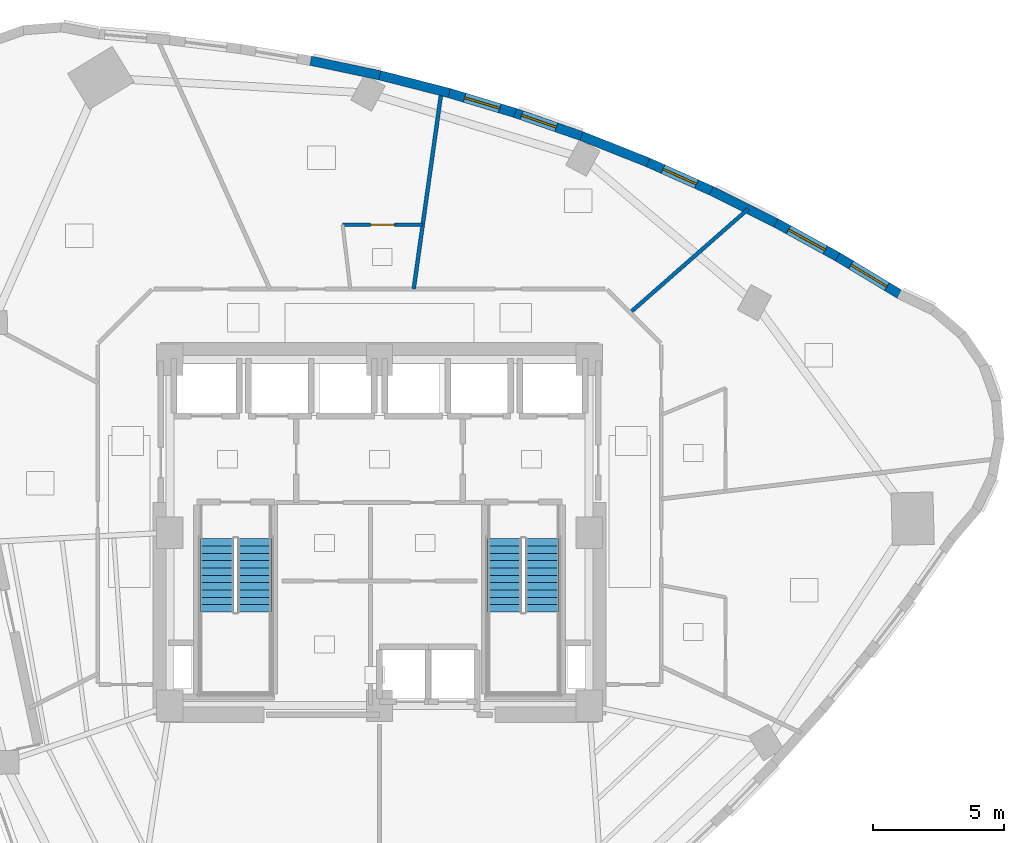
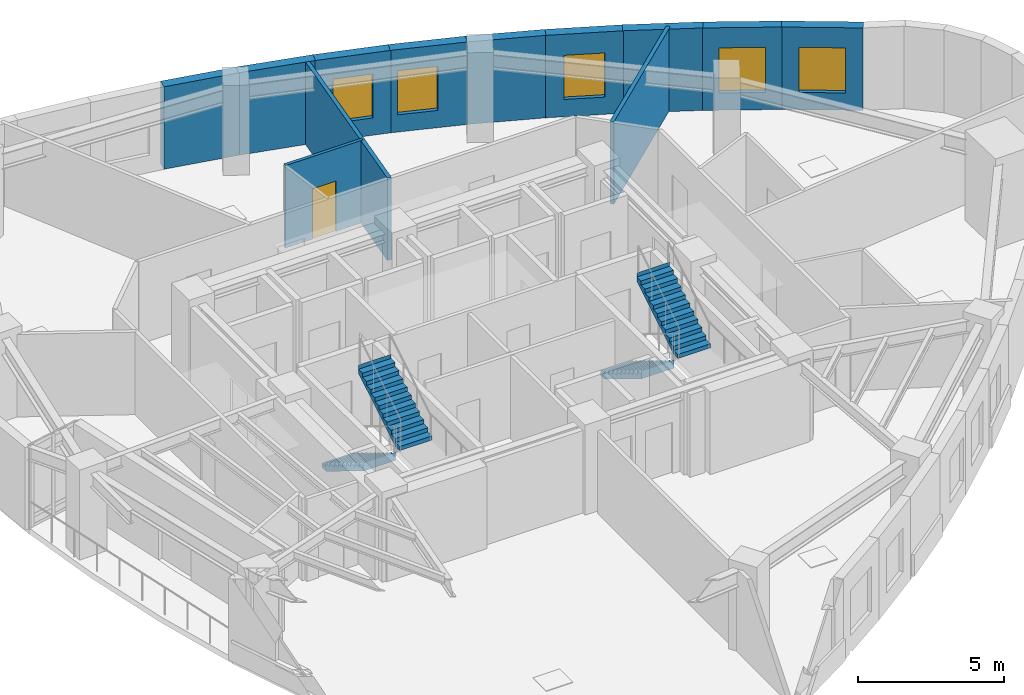
# One storey, part 9 of 12: 12 walls, 5 windows, 4 stair flights, 1 door, 6 openings, 2 elements without a shape of their own.
"""IFC4 building model written with IfcOpenShell, lengths in metres."""

from ifc_helpers import new_model, si_unit, direction, frame, frame_2d, origin, place, context, subcontext, project, spatial, polyline, rectangle, outline, extrude, material, layer, layer_set, type_object, element, fill, aggregate, save


model = new_model("IFC4")

# Units and contexts
model_context = context("Model", 3, precision=1e-05, world=origin(), true_north=direction((0.0, 1.0)))
body_context = subcontext(model_context, "Body", "Model", "MODEL_VIEW")
ifc_project = project(units=[si_unit("LENGTHUNIT", "METRE"), si_unit("AREAUNIT", "SQUARE_METRE"), si_unit("VOLUMEUNIT", "CUBIC_METRE"), si_unit("PLANEANGLEUNIT", "RADIAN"), si_unit("MASSUNIT", "GRAM", prefix="KILO")], contexts=[model_context])

# Site, building, storey
site_placement = place(None, origin())
site = spatial("IfcSite", under=ifc_project, at=site_placement, CompositionType="ELEMENT")
building_placement = place(site_placement, origin())
building = spatial("IfcBuilding", under=site, at=building_placement, Name="Ndelora Gate Hotel", CompositionType="ELEMENT")
storey_placement = place(building_placement, frame((0.0, 0.0, 164.75)))
storey = spatial("IfcBuildingStorey", under=building, at=storey_placement, Name="L41", CompositionType="ELEMENT", Elevation=164.75)

# Wall, opening, window
ifc_material_1 = material(Name="Clay Brick Masonry", Category="masonry")
ifc_layer_1 = layer(ifc_material_1, 0.360107421875)
ifc_layer_set_1 = layer_set([ifc_layer_1], Name="Clay Brick Masonry")
wall_type_1 = type_object("IfcWallType", Name="WL-BRICK-360", PredefinedType="SOLIDWALL", material=ifc_layer_set_1)
wall_1_placement = place(storey_placement, frame((17.478759765625, 10.526123046875, 0.0), z_axis=(0.0, 0.0, 1.0), x_axis=(0.855749933122, -0.517389651967, 0.0)))
wall_1 = element("IfcWall", 1, at=wall_1_placement, inside=storey, type_object=wall_type_1, Name="L41 Tower Brick Pier-and-Spandrel Wall TWR-47", PredefinedType="SOLIDWALL", context=body_context, shape_type="SweptSolid", body=[
    extrude(rectangle(XDim=2.801025390625, YDim=0.360107421875, at=frame_2d((1.400390625, 0.0))), origin(), (0.0, 0.0, 1.0), 3.43994140625),
])
opening_1_placement = place(wall_1_placement, frame((0.6005859375, 0.0, 0.719970703125)))
opening_1 = element("IfcOpeningElement", 2, at=opening_1_placement, cuts=wall_1, Name="Opening W01", PredefinedType="OPENING", context=body_context, shape_type="SweptSolid", body=[
    extrude(rectangle(XDim=1.60009765625, YDim=1.8798828125, at=frame_2d((0.800048828125, 0.93994140625))), frame((0.0, 0.18994140625, 0.0), z_axis=(0.0, -1.0, 0.0), x_axis=(1.0, 0.0, 0.0)), (0.0, 0.0, 1.0), 0.380126953125),
])
ifc_material_2 = material(Name="Insulated Low-E Double Glazing in Bronze Aluminium Frame", Category="aluminium")
window_type_1 = type_object("IfcWindowType", Name="WN-DEEP-1600", PartitioningType="SINGLE_PANEL", PredefinedType="WINDOW", material=ifc_material_2)
window_1_placement = place(opening_1_placement, origin())
window_1 = element("IfcWindow", 3, at=window_1_placement, inside=storey, type_object=window_type_1, Name="L41 Deep-Set Brick-Pier Window W01", OverallHeight=1.8798828125, OverallWidth=1.60009765625, PartitioningType="SINGLE_PANEL", PredefinedType="WINDOW", context=body_context, shape_type="SweptSolid", body=[
    extrude(rectangle(XDim=1.60009765625, YDim=1.8798828125, at=frame_2d((0.800048828125, 0.93994140625))), frame((0.0, 0.030029296875, 0.0), z_axis=(0.0, -1.0, 0.0), x_axis=(1.0, 0.0, 0.0)), (0.0, 0.0, 1.0), 0.06005859375),
])
fill(opening_1, window_1)

wall_2_placement = place(storey_placement, frame((15.088623046875, 11.8408203125, 0.0), z_axis=(0.0, 0.0, 1.0), x_axis=(0.876024703061, -0.482266233139, 0.0)))
wall_2 = element("IfcWall", 4, at=wall_2_placement, inside=storey, type_object=wall_type_1, Name="L41 Tower Brick Pier-and-Spandrel Wall TWR-48", PredefinedType="SOLIDWALL", context=body_context, shape_type="SweptSolid", body=[
    extrude(rectangle(XDim=2.77783203125, YDim=0.360107421875, at=frame_2d((1.388916015625, 0.0))), origin(), (0.0, 0.0, 1.0), 3.43994140625),
])
opening_2_placement = place(wall_2_placement, frame((0.5888671875, 0.0, 0.719970703125)))
opening_2 = element("IfcOpeningElement", 5, at=opening_2_placement, cuts=wall_2, Name="Opening W01", PredefinedType="OPENING", context=body_context, shape_type="SweptSolid", body=[
    extrude(rectangle(XDim=1.60009765625, YDim=1.8798828125, at=frame_2d((0.800048828125, 0.93994140625))), frame((0.0, 0.18994140625, 0.0), z_axis=(0.0, -1.0, 0.0), x_axis=(1.0, 0.0, 0.0)), (0.0, 0.0, 1.0), 0.380126953125),
])
window_2_placement = place(opening_2_placement, origin())
window_2 = element("IfcWindow", 6, at=window_2_placement, inside=storey, type_object=window_type_1, Name="L41 Deep-Set Brick-Pier Window W01", OverallHeight=1.8798828125, OverallWidth=1.60009765625, PartitioningType="SINGLE_PANEL", PredefinedType="WINDOW", context=body_context, shape_type="SweptSolid", body=[
    extrude(rectangle(XDim=1.60009765625, YDim=1.8798828125, at=frame_2d((0.800048828125, 0.93994140625))), frame((0.0, 0.030029296875, 0.0), z_axis=(0.0, -1.0, 0.0), x_axis=(1.0, 0.0, 0.0)), (0.0, 0.0, 1.0), 0.06005859375),
])
fill(opening_2, window_2)

# Wall
wall_3_placement = place(storey_placement, frame((12.66357421875, 13.046630859375, 0.0), z_axis=(0.0, 0.0, 1.0), x_axis=(0.89522231214, -0.445619806389, 0.0)))
element("IfcWall", 7, at=wall_3_placement, inside=storey, type_object=wall_type_1, Name="L41 Tower Brick Pier-and-Spandrel Wall TWR-49", PredefinedType="SOLIDWALL", context=body_context, shape_type="SweptSolid", body=[
    extrude(rectangle(XDim=2.758544921875, YDim=0.360107421875, at=frame_2d((1.37939453125, 0.0))), origin(), (0.0, 0.0, 1.0), 3.43994140625),
])

# Wall, opening, window
wall_4_placement = place(storey_placement, frame((10.203369140625, 14.144287109375, 0.0), z_axis=(0.0, 0.0, 1.0), x_axis=(0.913079911719, -0.407780669987, 0.0)))
wall_4 = element("IfcWall", 8, at=wall_4_placement, inside=storey, type_object=wall_type_1, Name="L41 Tower Brick Pier-and-Spandrel Wall TWR-50", PredefinedType="SOLIDWALL", context=body_context, shape_type="SweptSolid", body=[
    extrude(rectangle(XDim=2.743896484375, YDim=0.360107421875, at=frame_2d((1.3720703125, 0.0))), origin(), (0.0, 0.0, 1.0), 3.43994140625),
])
opening_3_placement = place(wall_4_placement, frame((0.672119140625, 0.0, 0.719970703125)))
opening_3 = element("IfcOpeningElement", 9, at=opening_3_placement, cuts=wall_4, Name="Opening W02", PredefinedType="OPENING", context=body_context, shape_type="SweptSolid", body=[
    extrude(rectangle(XDim=1.39990234375, YDim=1.840087890625, at=frame_2d((0.699951171875, 0.919921875))), frame((0.0, 0.18994140625, 0.0), z_axis=(0.0, -1.0, 0.0), x_axis=(1.0, 0.0, 0.0)), (0.0, 0.0, 1.0), 0.380126953125),
])
window_type_2 = type_object("IfcWindowType", Name="WN-DEEP-1400", PartitioningType="SINGLE_PANEL", PredefinedType="WINDOW", material=ifc_material_2)
window_3_placement = place(opening_3_placement, origin())
window_3 = element("IfcWindow", 10, at=window_3_placement, inside=storey, type_object=window_type_2, Name="L41 Deep-Set Brick-Pier Window W02", OverallHeight=1.840087890625, OverallWidth=1.39990234375, PartitioningType="SINGLE_PANEL", PredefinedType="WINDOW", context=body_context, shape_type="SweptSolid", body=[
    extrude(rectangle(XDim=1.39990234375, YDim=1.840087890625, at=frame_2d((0.699951171875, 0.919921875))), frame((0.0, 0.030029296875, 0.0), z_axis=(0.0, -1.0, 0.0), x_axis=(1.0, 0.0, 0.0)), (0.0, 0.0, 1.0), 0.06005859375),
])
fill(opening_3, window_3)

# Wall
wall_5_placement = place(storey_placement, frame((7.707763671875, 15.133544921875, 0.0), z_axis=(0.0, 0.0, 1.0), x_axis=(0.929489253477, -0.368849193671, 0.0)))
element("IfcWall", 11, at=wall_5_placement, inside=storey, type_object=wall_type_1, Name="L41 Tower Brick Pier-and-Spandrel Wall TWR-51", PredefinedType="SOLIDWALL", context=body_context, shape_type="SweptSolid", body=[
    extrude(rectangle(XDim=2.734375, YDim=0.360107421875, at=frame_2d((1.3671875, 0.0))), origin(), (0.0, 0.0, 1.0), 3.43994140625),
])

# Wall, opening, window
wall_6_placement = place(storey_placement, frame((5.17724609375, 16.0146484375, 0.0), z_axis=(0.0, 0.0, 1.0), x_axis=(0.944274551396, -0.329158885018, 0.0)))
wall_6 = element("IfcWall", 12, at=wall_6_placement, inside=storey, type_object=wall_type_1, Name="L41 Tower Brick Pier-and-Spandrel Wall TWR-52", PredefinedType="SOLIDWALL", context=body_context, shape_type="SweptSolid", body=[
    extrude(rectangle(XDim=2.7294921875, YDim=0.360107421875, at=frame_2d((1.36474609375, 0.0))), origin(), (0.0, 0.0, 1.0), 3.43994140625),
])
opening_4_placement = place(wall_6_placement, frame((0.260009765625, 0.0, 0.719970703125)))
opening_4 = element("IfcOpeningElement", 13, at=opening_4_placement, cuts=wall_6, Name="Opening W02", PredefinedType="OPENING", context=body_context, shape_type="SweptSolid", body=[
    extrude(rectangle(XDim=1.39990234375, YDim=1.840087890625, at=frame_2d((0.699951171875, 0.919921875))), frame((0.0, 0.18994140625, 0.0), z_axis=(0.0, -1.0, 0.0), x_axis=(1.0, 0.0, 0.0)), (0.0, 0.0, 1.0), 0.380126953125),
])
window_4_placement = place(opening_4_placement, origin())
window_4 = element("IfcWindow", 14, at=window_4_placement, inside=storey, type_object=window_type_2, Name="L41 Deep-Set Brick-Pier Window W02", OverallHeight=1.840087890625, OverallWidth=1.39990234375, PartitioningType="SINGLE_PANEL", PredefinedType="WINDOW", context=body_context, shape_type="SweptSolid", body=[
    extrude(rectangle(XDim=1.39990234375, YDim=1.840087890625, at=frame_2d((0.699951171875, 0.919921875))), frame((0.0, 0.030029296875, 0.0), z_axis=(0.0, -1.0, 0.0), x_axis=(1.0, 0.0, 0.0)), (0.0, 0.0, 1.0), 0.06005859375),
])
fill(opening_4, window_4)

wall_7_placement = place(storey_placement, frame((2.611572265625, 16.787353515625, 0.0), z_axis=(0.0, 0.0, 1.0), x_axis=(0.957404258556, -0.288750905972, 0.0)))
wall_7 = element("IfcWall", 15, at=wall_7_placement, inside=storey, type_object=wall_type_1, Name="L41 Tower Brick Pier-and-Spandrel Wall TWR-53", PredefinedType="SOLIDWALL", context=body_context, shape_type="SweptSolid", body=[
    extrude(rectangle(XDim=2.729248046875, YDim=0.360107421875, at=frame_2d((1.36474609375, 0.0))), origin(), (0.0, 0.0, 1.0), 3.43994140625),
])
opening_5_placement = place(wall_7_placement, frame((0.664794921875, 0.0, 0.719970703125)))
opening_5 = element("IfcOpeningElement", 16, at=opening_5_placement, cuts=wall_7, Name="Opening W02", PredefinedType="OPENING", context=body_context, shape_type="SweptSolid", body=[
    extrude(rectangle(XDim=1.39990234375, YDim=1.840087890625, at=frame_2d((0.699951171875, 0.919921875))), frame((0.0, 0.18994140625, 0.0), z_axis=(0.0, -1.0, 0.0), x_axis=(1.0, 0.0, 0.0)), (0.0, 0.0, 1.0), 0.380126953125),
])
window_5_placement = place(opening_5_placement, origin())
window_5 = element("IfcWindow", 17, at=window_5_placement, inside=storey, type_object=window_type_2, Name="L41 Deep-Set Brick-Pier Window W02", OverallHeight=1.840087890625, OverallWidth=1.39990234375, PartitioningType="SINGLE_PANEL", PredefinedType="WINDOW", context=body_context, shape_type="SweptSolid", body=[
    extrude(rectangle(XDim=1.39990234375, YDim=1.840087890625, at=frame_2d((0.699951171875, 0.919921875))), frame((0.0, 0.030029296875, 0.0), z_axis=(0.0, -1.0, 0.0), x_axis=(1.0, 0.0, 0.0)), (0.0, 0.0, 1.0), 0.06005859375),
])
fill(opening_5, window_5)

# Walls
wall_8_placement = place(storey_placement, frame((0.010498046875, 17.45166015625, 0.0), z_axis=(0.0, 0.0, 1.0), x_axis=(0.968799214678, -0.247846891526, 0.0)))
element("IfcWall", 18, at=wall_8_placement, inside=storey, type_object=wall_type_1, Name="L41 Tower Brick Pier-and-Spandrel Wall TWR-54", PredefinedType="SOLIDWALL", context=body_context, shape_type="SweptSolid", body=[
    extrude(rectangle(XDim=2.734375, YDim=0.360107421875, at=frame_2d((1.3671875, 0.0))), origin(), (0.0, 0.0, 1.0), 3.43994140625),
])
wall_9_placement = place(storey_placement, frame((-2.62548828125, 18.0078125, 0.0), z_axis=(0.0, 0.0, 1.0), x_axis=(0.978369100094, -0.20686687502, 0.0)))
element("IfcWall", 19, at=wall_9_placement, inside=storey, type_object=wall_type_1, Name="L41 Tower Brick Pier-and-Spandrel Wall TWR-55", PredefinedType="SOLIDWALL", context=body_context, shape_type="SweptSolid", body=[
    extrude(rectangle(XDim=2.743896484375, YDim=0.360107421875, at=frame_2d((1.3720703125, 0.0))), origin(), (0.0, 0.0, 1.0), 3.43994140625),
])
ifc_material_3 = material(Name="Fire-Rated Gypsum Stud Partition", Category="gypsum")
ifc_layer_2 = layer(ifc_material_3, 0.14990234375)
ifc_layer_set_2 = layer_set([ifc_layer_2], Name="Fire-Rated Gypsum Stud Partition")
wall_type_2 = type_object("IfcWallType", Name="WL-PART-150", PredefinedType="PARTITIONING", material=ifc_layer_set_2)
wall_10_placement = place(storey_placement, frame((9.5595703125, 8.390380859375, 0.0), z_axis=(0.0, 0.0, 1.0), x_axis=(0.751542092704, 0.659685139209, 0.0)))
element("IfcWall", 20, at=wall_10_placement, inside=storey, type_object=wall_type_2, Name="L41 Interior Wall IW-5", PredefinedType="PARTITIONING", context=body_context, shape_type="SweptSolid", body=[
    extrude(rectangle(XDim=5.998779296875, YDim=0.14990234375, at=frame_2d((2.99951171875, 0.0))), origin(), (0.0, 0.0, 1.0), 3.43994140625),
])
wall_11_placement = place(storey_placement, frame((1.305908203125, 9.300048828125, 0.0), z_axis=(0.0, 0.0, 1.0), x_axis=(0.139026648153, 0.990288640298, 0.0)))
element("IfcWall", 21, at=wall_11_placement, inside=storey, type_object=wall_type_2, Name="L41 Interior Wall IW-5", PredefinedType="PARTITIONING", context=body_context, shape_type="SweptSolid", body=[
    extrude(rectangle(XDim=7.623046875, YDim=0.14990234375, at=frame_2d((3.8115234375, 0.0))), origin(), (0.0, 0.0, 1.0), 3.43994140625),
])

# Wall, opening, door
ifc_material_4 = material(Name="Moisture-Resistant Bathroom Tile Partition", Category="gypsum")
ifc_layer_3 = layer(ifc_material_4, 0.1201171875)
ifc_layer_set_3 = layer_set([ifc_layer_3], Name="Moisture-Resistant Bathroom Tile Partition")
wall_type_3 = type_object("IfcWallType", Name="WL-WET-120", PredefinedType="PARTITIONING", material=ifc_layer_set_3)
wall_12_placement = place(storey_placement, frame((-1.4072265625, 11.75, 0.0), z_axis=(0.0, 0.0, 1.0), x_axis=(1.0, 0.0, 0.0)))
wall_12 = element("IfcWall", 22, at=wall_12_placement, inside=storey, type_object=wall_type_3, Name="L41 Interior Wall IW-7", PredefinedType="PARTITIONING", context=body_context, shape_type="SweptSolid", body=[
    extrude(rectangle(XDim=3.05712890625, YDim=0.1201171875, at=frame_2d((1.528564453125, 0.0))), origin(), (0.0, 0.0, 1.0), 3.43994140625),
])
opening_6_placement = place(wall_12_placement, frame((1.068603515625, 0.0, 0.0)))
opening_6 = element("IfcOpeningElement", 23, at=opening_6_placement, cuts=wall_12, Name="Opening D03", PredefinedType="OPENING", context=body_context, shape_type="SweptSolid", body=[
    extrude(rectangle(XDim=0.919921875, YDim=2.10009765625, at=frame_2d((0.4599609375, 1.050048828125))), frame((0.0, 0.070068359375, 0.0), z_axis=(0.0, -1.0, 0.0), x_axis=(1.0, 0.0, 0.0)), (0.0, 0.0, 1.0), 0.14013671875),
])
ifc_material_5 = material(Name="Moisture-Resistant Hardwood En-Suite Door", Category="wood")
door_type = type_object("IfcDoorType", Name="DR-BATH-920", OperationType="SINGLE_SWING_LEFT", PredefinedType="DOOR", material=ifc_material_5)
door_placement = place(opening_6_placement, origin())
door = element("IfcDoor", 24, at=door_placement, inside=storey, type_object=door_type, Name="L41 En-suite Bathroom 4403 Door", OperationType="SINGLE_SWING_RIGHT", OverallHeight=2.10009765625, OverallWidth=0.919921875, PredefinedType="DOOR", context=body_context, shape_type="SweptSolid", body=[
    extrude(rectangle(XDim=0.919921875, YDim=2.10009765625, at=frame_2d((0.4599609375, 1.050048828125))), frame((0.0, 0.02490234375, 0.0), z_axis=(0.0, -1.0, 0.0), x_axis=(1.0, 0.0, 0.0)), (0.0, 0.0, 1.0), 0.050048828125),
])
fill(opening_6, door)

# Stair, stair flights
ifc_material_6 = material(Name="Precast concrete C40/50", Category="concrete")
stair_type = type_object("IfcStairType", Name="STR-DOG-CORE", PredefinedType="HALF_TURN_STAIR", material=ifc_material_6)
stair_1_placement = place(storey_placement, origin())
stair_1 = element("IfcStair", 25, at=stair_1_placement, inside=storey, type_object=stair_type, Name="L41 Protected Core Exit Stair ST4", PredefinedType="HALF_TURN_STAIR")
stair_flight_type = type_object("IfcStairFlightType", Name="STF-PRECAST", PredefinedType="STRAIGHT", material=ifc_material_6)
stair_flight_1_placement = place(storey_placement, frame((-6.2099609375, -0.22998046875, 0.0), z_axis=(0.0, 0.0, 1.0), x_axis=(0.0, -1.0, 0.0)))
stair_flight_1 = element("IfcStairFlight", 26, at=stair_flight_1_placement, type_object=stair_flight_type, Name="ST4 flight 1", NumberOfRisers=11, NumberOfTreads=10, PredefinedType="STRAIGHT", RiserHeight=0.170454545, TreadLength=0.28, context=body_context, shape_type="SweptSolid", body=[
    extrude(outline(polyline([(-0.00048828125, 0.0), (-0.00048828125, 0.17041015625), (0.0, 0.17041015625), (0.280029296875, 0.17041015625), (0.280029296875, 0.3408203125), (0.56005859375, 0.3408203125), (0.56005859375, 0.511474609375), (0.840087890625, 0.511474609375), (0.840087890625, 0.681884765625), (1.1201171875, 0.681884765625), (1.1201171875, 0.852294921875), (1.39990234375, 0.852294921875), (1.39990234375, 1.022705078125), (1.679931640625, 1.022705078125), (1.679931640625, 1.193115234375), (1.9599609375, 1.193115234375), (1.9599609375, 1.363525390625), (2.239990234375, 1.363525390625), (2.239990234375, 1.5341796875), (2.52001953125, 1.5341796875), (2.52001953125, 1.70458984375), (2.800048828125, 1.70458984375), (2.800048828125, 1.875), (2.800537109375, 1.875), (2.800537109375, 1.695068359375), (2.800048828125, 1.529052734375), (0.288330078125, 0.0), (-0.00048828125, 0.0)])), frame((0.0, 0.64013671875, 0.0), z_axis=(0.0, -1.0, 0.0), x_axis=(1.0, 0.0, 0.0)), (0.0, 0.0, 1.0), 1.280029296875),
])
stair_flight_2_placement = place(storey_placement, frame((-4.77001953125, -3.030029296875, 1.875), z_axis=(0.0, 0.0, 1.0), x_axis=(0.0, 1.0, 0.0)))
stair_flight_2 = element("IfcStairFlight", 27, at=stair_flight_2_placement, type_object=stair_flight_type, Name="ST4 flight 2", NumberOfRisers=11, NumberOfTreads=10, PredefinedType="STRAIGHT", RiserHeight=0.170454545, TreadLength=0.28, context=body_context, shape_type="SweptSolid", body=[
    extrude(outline(polyline([(-0.00048828125, 0.0), (-0.00048828125, 0.17041015625), (0.0, 0.17041015625), (0.280029296875, 0.17041015625), (0.280029296875, 0.3408203125), (0.56005859375, 0.3408203125), (0.56005859375, 0.511474609375), (0.840087890625, 0.511474609375), (0.840087890625, 0.681884765625), (1.1201171875, 0.681884765625), (1.1201171875, 0.852294921875), (1.39990234375, 0.852294921875), (1.39990234375, 1.022705078125), (1.679931640625, 1.022705078125), (1.679931640625, 1.193115234375), (1.9599609375, 1.193115234375), (1.9599609375, 1.363525390625), (2.239990234375, 1.363525390625), (2.239990234375, 1.5341796875), (2.52001953125, 1.5341796875), (2.52001953125, 1.70458984375), (2.800048828125, 1.70458984375), (2.800048828125, 1.875), (2.800537109375, 1.875), (2.800537109375, 1.695068359375), (2.800048828125, 1.529052734375), (0.288330078125, 0.0), (-0.00048828125, 0.0)])), frame((0.0, 0.64013671875, 0.0), z_axis=(0.0, -1.0, 0.0), x_axis=(1.0, 0.0, 0.0)), (0.0, 0.0, 1.0), 1.280029296875),
])
aggregate(stair_1, [stair_flight_1, stair_flight_2])

stair_2_placement = place(storey_placement, origin())
stair_2 = element("IfcStair", 28, at=stair_2_placement, inside=storey, type_object=stair_type, Name="L41 Protected Core Exit Stair ST5", PredefinedType="HALF_TURN_STAIR")
stair_flight_3_placement = place(storey_placement, frame((4.77001953125, -0.22998046875, 0.0), z_axis=(0.0, 0.0, 1.0), x_axis=(0.0, -1.0, 0.0)))
stair_flight_3 = element("IfcStairFlight", 29, at=stair_flight_3_placement, type_object=stair_flight_type, Name="ST5 flight 1", NumberOfRisers=11, NumberOfTreads=10, PredefinedType="STRAIGHT", RiserHeight=0.170454545, TreadLength=0.28, context=body_context, shape_type="SweptSolid", body=[
    extrude(outline(polyline([(-0.00048828125, 0.0), (-0.00048828125, 0.17041015625), (0.0, 0.17041015625), (0.280029296875, 0.17041015625), (0.280029296875, 0.3408203125), (0.56005859375, 0.3408203125), (0.56005859375, 0.511474609375), (0.840087890625, 0.511474609375), (0.840087890625, 0.681884765625), (1.1201171875, 0.681884765625), (1.1201171875, 0.852294921875), (1.39990234375, 0.852294921875), (1.39990234375, 1.022705078125), (1.679931640625, 1.022705078125), (1.679931640625, 1.193115234375), (1.9599609375, 1.193115234375), (1.9599609375, 1.363525390625), (2.239990234375, 1.363525390625), (2.239990234375, 1.5341796875), (2.52001953125, 1.5341796875), (2.52001953125, 1.70458984375), (2.800048828125, 1.70458984375), (2.800048828125, 1.875), (2.800537109375, 1.875), (2.800537109375, 1.695068359375), (2.800048828125, 1.529052734375), (0.288330078125, 0.0), (-0.00048828125, 0.0)])), frame((0.0, 0.64013671875, 0.0), z_axis=(0.0, -1.0, 0.0), x_axis=(1.0, 0.0, 0.0)), (0.0, 0.0, 1.0), 1.280029296875),
])
stair_flight_4_placement = place(storey_placement, frame((6.2099609375, -3.030029296875, 1.875), z_axis=(0.0, 0.0, 1.0), x_axis=(0.0, 1.0, 0.0)))
stair_flight_4 = element("IfcStairFlight", 30, at=stair_flight_4_placement, type_object=stair_flight_type, Name="ST5 flight 2", NumberOfRisers=11, NumberOfTreads=10, PredefinedType="STRAIGHT", RiserHeight=0.170454545, TreadLength=0.28, context=body_context, shape_type="SweptSolid", body=[
    extrude(outline(polyline([(-0.00048828125, 0.0), (-0.00048828125, 0.17041015625), (0.0, 0.17041015625), (0.280029296875, 0.17041015625), (0.280029296875, 0.3408203125), (0.56005859375, 0.3408203125), (0.56005859375, 0.511474609375), (0.840087890625, 0.511474609375), (0.840087890625, 0.681884765625), (1.1201171875, 0.681884765625), (1.1201171875, 0.852294921875), (1.39990234375, 0.852294921875), (1.39990234375, 1.022705078125), (1.679931640625, 1.022705078125), (1.679931640625, 1.193115234375), (1.9599609375, 1.193115234375), (1.9599609375, 1.363525390625), (2.239990234375, 1.363525390625), (2.239990234375, 1.5341796875), (2.52001953125, 1.5341796875), (2.52001953125, 1.70458984375), (2.800048828125, 1.70458984375), (2.800048828125, 1.875), (2.800537109375, 1.875), (2.800537109375, 1.695068359375), (2.800048828125, 1.529052734375), (0.288330078125, 0.0), (-0.00048828125, 0.0)])), frame((0.0, 0.64013671875, 0.0), z_axis=(0.0, -1.0, 0.0), x_axis=(1.0, 0.0, 0.0)), (0.0, 0.0, 1.0), 1.280029296875),
])
aggregate(stair_2, [stair_flight_3, stair_flight_4])

save(model, "model.ifc")
